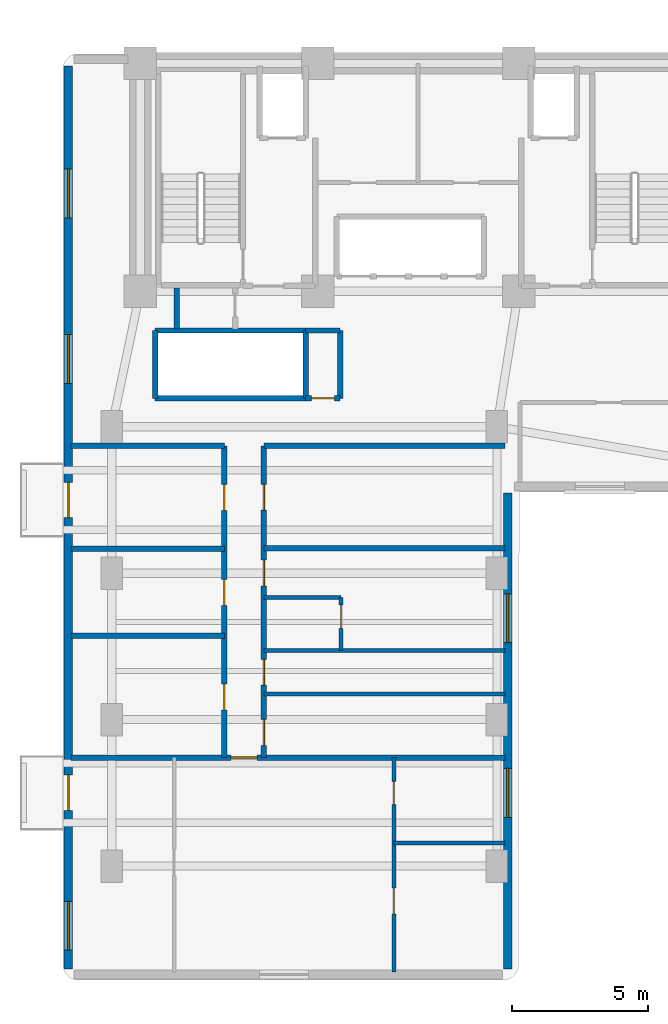
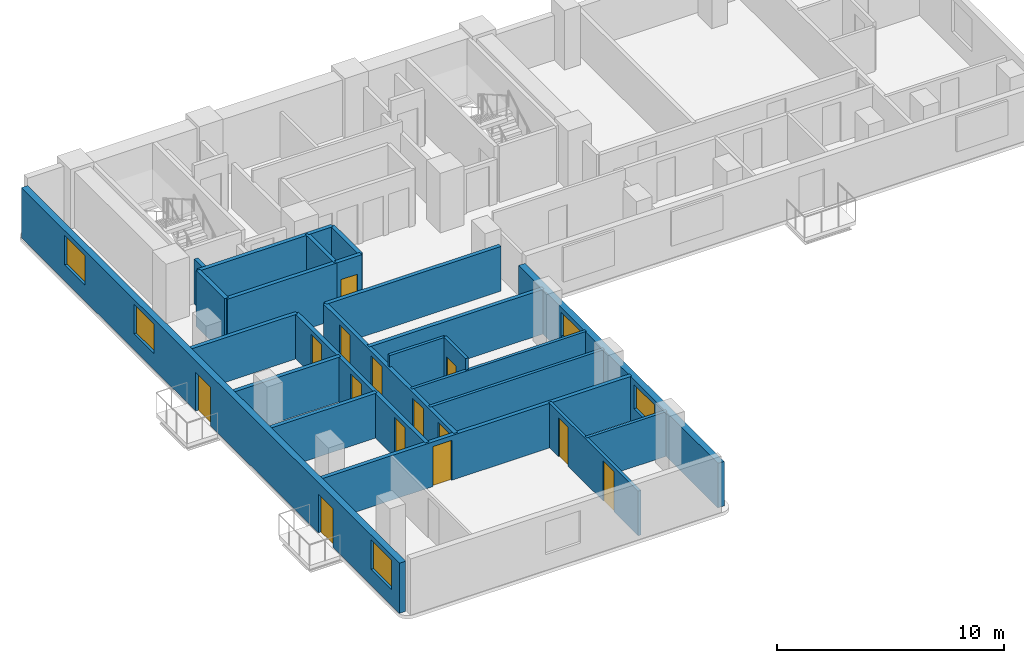
# One storey, part 3 of 9: 24 walls, 14 doors, 5 windows, 19 openings.
"""IFC4 building model written with IfcOpenShell, lengths in metres."""

from ifc_helpers import new_model, si_unit, direction, frame, frame_2d, origin, place, context, subcontext, project, spatial, rectangle, extrude, material, layer, layer_set, type_object, element, fill, save


model = new_model("IFC4")

# Units and contexts
model_context = context("Model", 3, precision=1e-05, world=origin(), true_north=direction((0.0, 1.0)))
body_context = subcontext(model_context, "Body", "Model", "MODEL_VIEW")
ifc_project = project(units=[si_unit("LENGTHUNIT", "METRE"), si_unit("AREAUNIT", "SQUARE_METRE"), si_unit("VOLUMEUNIT", "CUBIC_METRE"), si_unit("PLANEANGLEUNIT", "RADIAN"), si_unit("MASSUNIT", "GRAM", prefix="KILO")], contexts=[model_context])

# Site, building, storey
site_placement = place(None, origin())
site = spatial("IfcSite", under=ifc_project, at=site_placement, CompositionType="ELEMENT")
building_placement = place(site_placement, origin())
building = spatial("IfcBuilding", under=site, at=building_placement, Name="Kuzgunbayir Cultural Tower", CompositionType="ELEMENT")
storey_placement = place(building_placement, frame((0.0, 0.0, 89.800048828125)))
storey = spatial("IfcBuildingStorey", under=building, at=storey_placement, Name="L25", CompositionType="ELEMENT", Elevation=89.800048828125)

# Wall, openings, doors, windows
ifc_material_1 = material(Name="Travertine Buff Ashlar", Category="masonry")
ifc_layer_1 = layer(ifc_material_1, 0.320068359375)
ifc_layer_set_1 = layer_set([ifc_layer_1], Name="Travertine Buff Ashlar")
wall_type_1 = type_object("IfcWallType", Name="WAL-EXT-STONE-320", PredefinedType="STANDARD", material=ifc_layer_set_1)
wall_1_placement = place(storey_placement, frame((3.800048828125, 42.10009765625, 0.0), z_axis=(0.0, 0.0, 1.0), x_axis=(0.0, -1.0, 0.0)))
wall_1 = element("IfcWall", 1, at=wall_1_placement, inside=storey, type_object=wall_type_1, Name="L25 Wing A West Limestone Wall", PredefinedType="STANDARD", context=body_context, shape_type="SweptSolid", body=[
    extrude(rectangle(XDim=33.300048828125, YDim=0.320068359375, at=frame_2d((16.64990234375, 0.0))), origin(), (0.0, 0.0, 1.0), 2.699951171875),
])
opening_1_placement = place(wall_1_placement, frame((26.14990234375, 0.0, 0.0)))
opening_1 = element("IfcOpeningElement", 2, at=opening_1_placement, cuts=wall_1, Name="Opening BD-13", PredefinedType="OPENING", context=body_context, shape_type="SweptSolid", body=[
    extrude(rectangle(XDim=1.300048828125, YDim=2.080078125, at=frame_2d((0.64990234375, 1.0400390625))), frame((0.0, 0.169921875, 0.0), z_axis=(0.0, -1.0, 0.0), x_axis=(1.0, 0.0, 0.0)), (0.0, 0.0, 1.0), 0.340087890625),
])
opening_2_placement = place(wall_1_placement, frame((15.35009765625, 0.0, 0.0)))
opening_2 = element("IfcOpeningElement", 3, at=opening_2_placement, cuts=wall_1, Name="Opening BD-13", PredefinedType="OPENING", context=body_context, shape_type="SweptSolid", body=[
    extrude(rectangle(XDim=1.300048828125, YDim=2.080078125, at=frame_2d((0.64990234375, 1.0400390625))), frame((0.0, 0.169921875, 0.0), z_axis=(0.0, -1.0, 0.0), x_axis=(1.0, 0.0, 0.0)), (0.0, 0.0, 1.0), 0.340087890625),
])
opening_3_placement = place(wall_1_placement, frame((30.800048828125, 0.0, 0.85009765625)))
opening_3 = element("IfcOpeningElement", 4, at=opening_3_placement, cuts=wall_1, Name="Opening WH-18", PredefinedType="OPENING", context=body_context, shape_type="SweptSolid", body=[
    extrude(rectangle(XDim=1.800048828125, YDim=1.60009765625, at=frame_2d((0.89990234375, 0.800048828125))), frame((0.0, 0.169921875, 0.0), z_axis=(0.0, -1.0, 0.0), x_axis=(1.0, 0.0, 0.0)), (0.0, 0.0, 1.0), 0.340087890625),
])
opening_4_placement = place(wall_1_placement, frame((9.89990234375, 0.0, 0.85009765625)))
opening_4 = element("IfcOpeningElement", 5, at=opening_4_placement, cuts=wall_1, Name="Opening WH-18", PredefinedType="OPENING", context=body_context, shape_type="SweptSolid", body=[
    extrude(rectangle(XDim=1.800048828125, YDim=1.60009765625, at=frame_2d((0.89990234375, 0.800048828125))), frame((0.0, 0.169921875, 0.0), z_axis=(0.0, -1.0, 0.0), x_axis=(1.0, 0.0, 0.0)), (0.0, 0.0, 1.0), 0.340087890625),
])
opening_5_placement = place(wall_1_placement, frame((3.800048828125, 0.0, 0.85009765625)))
opening_5 = element("IfcOpeningElement", 6, at=opening_5_placement, cuts=wall_1, Name="Opening WH-18", PredefinedType="OPENING", context=body_context, shape_type="SweptSolid", body=[
    extrude(rectangle(XDim=1.800048828125, YDim=1.60009765625, at=frame_2d((0.89990234375, 0.800048828125))), frame((0.0, 0.169921875, 0.0), z_axis=(0.0, -1.0, 0.0), x_axis=(1.0, 0.0, 0.0)), (0.0, 0.0, 1.0), 0.340087890625),
])
ifc_material_2 = material(Name="Thermally Broken Glazed Aluminium", Category="aluminium")
door_type_1 = type_object("IfcDoorType", Name="DR-BALCONY-135", OperationType="SLIDING_TO_LEFT", PredefinedType="DOOR", material=ifc_material_2)
door_1_placement = place(opening_1_placement, origin())
door_1 = element("IfcDoor", 7, at=door_1_placement, inside=storey, type_object=door_type_1, Name="L25 West Balcony Sliding Door BAL-L25-WA1", OperationType="SLIDING_TO_LEFT", OverallHeight=2.080078125, OverallWidth=1.300048828125, PredefinedType="DOOR", context=body_context, shape_type="SweptSolid", body=[
    extrude(rectangle(XDim=1.300048828125, YDim=2.080078125, at=frame_2d((0.64990234375, 1.0400390625))), frame((0.0, 0.02490234375, 0.0), z_axis=(0.0, -1.0, 0.0), x_axis=(1.0, 0.0, 0.0)), (0.0, 0.0, 1.0), 0.050048828125),
])
fill(opening_1, door_1)
door_2_placement = place(opening_2_placement, origin())
door_2 = element("IfcDoor", 8, at=door_2_placement, inside=storey, type_object=door_type_1, Name="L25 West Balcony Sliding Door BAL-L25-WA3", OperationType="SLIDING_TO_LEFT", OverallHeight=2.080078125, OverallWidth=1.300048828125, PredefinedType="DOOR", context=body_context, shape_type="SweptSolid", body=[
    extrude(rectangle(XDim=1.300048828125, YDim=2.080078125, at=frame_2d((0.64990234375, 1.0400390625))), frame((0.0, 0.02490234375, 0.0), z_axis=(0.0, -1.0, 0.0), x_axis=(1.0, 0.0, 0.0)), (0.0, 0.0, 1.0), 0.050048828125),
])
fill(opening_2, door_2)
ifc_material_3 = material(Name="Solar-Control Triple Glazing", Category="glass")
window_type = type_object("IfcWindowType", Name="WIN-HOTEL-18", PartitioningType="SINGLE_PANEL", PredefinedType="WINDOW", material=ifc_material_3)
window_1_placement = place(opening_3_placement, origin())
window_1 = element("IfcWindow", 9, at=window_1_placement, inside=storey, type_object=window_type, Name="L25 WAW Facade Window 5", OverallHeight=1.60009765625, OverallWidth=1.800048828125, PartitioningType="SINGLE_PANEL", PredefinedType="WINDOW", context=body_context, shape_type="SweptSolid", body=[
    extrude(rectangle(XDim=1.800048828125, YDim=1.60009765625, at=frame_2d((0.89990234375, 0.800048828125))), frame((0.0, 0.030029296875, 0.0), z_axis=(0.0, -1.0, 0.0), x_axis=(1.0, 0.0, 0.0)), (0.0, 0.0, 1.0), 0.06005859375),
])
fill(opening_3, window_1)
window_2_placement = place(opening_4_placement, origin())
window_2 = element("IfcWindow", 10, at=window_2_placement, inside=storey, type_object=window_type, Name="L25 WAW Facade Window 6", OverallHeight=1.60009765625, OverallWidth=1.800048828125, PartitioningType="SINGLE_PANEL", PredefinedType="WINDOW", context=body_context, shape_type="SweptSolid", body=[
    extrude(rectangle(XDim=1.800048828125, YDim=1.60009765625, at=frame_2d((0.89990234375, 0.800048828125))), frame((0.0, 0.030029296875, 0.0), z_axis=(0.0, -1.0, 0.0), x_axis=(1.0, 0.0, 0.0)), (0.0, 0.0, 1.0), 0.06005859375),
])
fill(opening_4, window_2)
window_3_placement = place(opening_5_placement, origin())
window_3 = element("IfcWindow", 11, at=window_3_placement, inside=storey, type_object=window_type, Name="L25 WAW Facade Window 7", OverallHeight=1.60009765625, OverallWidth=1.800048828125, PartitioningType="SINGLE_PANEL", PredefinedType="WINDOW", context=body_context, shape_type="SweptSolid", body=[
    extrude(rectangle(XDim=1.800048828125, YDim=1.60009765625, at=frame_2d((0.89990234375, 0.800048828125))), frame((0.0, 0.030029296875, 0.0), z_axis=(0.0, -1.0, 0.0), x_axis=(1.0, 0.0, 0.0)), (0.0, 0.0, 1.0), 0.06005859375),
])
fill(opening_5, window_3)

# Wall, openings, windows
wall_2_placement = place(storey_placement, frame((20.0, 8.800048828125, 0.0), z_axis=(0.0, 0.0, 1.0), x_axis=(0.0, 1.0, 0.0)))
wall_2 = element("IfcWall", 12, at=wall_2_placement, inside=storey, type_object=wall_type_1, Name="L25 Wing A East Limestone Wall", PredefinedType="STANDARD", context=body_context, shape_type="SweptSolid", body=[
    extrude(rectangle(XDim=17.550048828125, YDim=0.320068359375, at=frame_2d((8.77490234375, 0.0))), origin(), (0.0, 0.0, 1.0), 2.39990234375),
])
opening_6_placement = place(wall_2_placement, frame((12.0400390625, 0.0, 0.85009765625)))
opening_6 = element("IfcOpeningElement", 13, at=opening_6_placement, cuts=wall_2, Name="Opening WH-18", PredefinedType="OPENING", context=body_context, shape_type="SweptSolid", body=[
    extrude(rectangle(XDim=1.800048828125, YDim=1.300048828125, at=frame_2d((0.89990234375, 0.64990234375))), frame((0.0, 0.169921875, 0.0), z_axis=(0.0, -1.0, 0.0), x_axis=(1.0, 0.0, 0.0)), (0.0, 0.0, 1.0), 0.340087890625),
])
opening_7_placement = place(wall_2_placement, frame((5.60009765625, 0.0, 0.85009765625)))
opening_7 = element("IfcOpeningElement", 14, at=opening_7_placement, cuts=wall_2, Name="Opening WH-18", PredefinedType="OPENING", context=body_context, shape_type="SweptSolid", body=[
    extrude(rectangle(XDim=1.800048828125, YDim=1.300048828125, at=frame_2d((0.89990234375, 0.64990234375))), frame((0.0, 0.169921875, 0.0), z_axis=(0.0, -1.0, 0.0), x_axis=(1.0, 0.0, 0.0)), (0.0, 0.0, 1.0), 0.340087890625),
])
window_4_placement = place(opening_6_placement, origin())
window_4 = element("IfcWindow", 15, at=window_4_placement, inside=storey, type_object=window_type, Name="L25 WAE Facade Window 2", OverallHeight=1.300048828125, OverallWidth=1.800048828125, PartitioningType="SINGLE_PANEL", PredefinedType="WINDOW", context=body_context, shape_type="SweptSolid", body=[
    extrude(rectangle(XDim=1.800048828125, YDim=1.300048828125, at=frame_2d((0.89990234375, 0.64990234375))), frame((0.0, 0.030029296875, 0.0), z_axis=(0.0, -1.0, 0.0), x_axis=(1.0, 0.0, 0.0)), (0.0, 0.0, 1.0), 0.06005859375),
])
fill(opening_6, window_4)
window_5_placement = place(opening_7_placement, origin())
window_5 = element("IfcWindow", 16, at=window_5_placement, inside=storey, type_object=window_type, Name="L25 WAE Facade Window 8", OverallHeight=1.300048828125, OverallWidth=1.800048828125, PartitioningType="SINGLE_PANEL", PredefinedType="WINDOW", context=body_context, shape_type="SweptSolid", body=[
    extrude(rectangle(XDim=1.800048828125, YDim=1.300048828125, at=frame_2d((0.89990234375, 0.64990234375))), frame((0.0, 0.030029296875, 0.0), z_axis=(0.0, -1.0, 0.0), x_axis=(1.0, 0.0, 0.0)), (0.0, 0.0, 1.0), 0.06005859375),
])
fill(opening_7, window_5)

# Wall
ifc_material_4 = material(Name="Acoustic Double-Stud Drywall", Category="gypsum")
ifc_layer_2 = layer(ifc_material_4, 0.14990234375)
ifc_layer_set_2 = layer_set([ifc_layer_2], Name="Acoustic Double-Stud Drywall")
wall_type_2 = type_object("IfcWallType", Name="WAL-PART-ACOUSTIC-150", PredefinedType="PARTITIONING", material=ifc_layer_set_2)
wall_3_placement = place(storey_placement, frame((11.010009765625, 18.949951171875, 0.0), z_axis=(0.0, 0.0, 1.0), x_axis=(1.0, 0.0, 0.0)))
element("IfcWall", 17, at=wall_3_placement, inside=storey, type_object=wall_type_2, Name="L25 Housekeeping North Wall", PredefinedType="PARTITIONING", context=body_context, shape_type="SweptSolid", body=[
    extrude(rectangle(XDim=8.889892578125, YDim=0.14990234375, at=frame_2d((4.44482421875, 0.0))), origin(), (0.0, 0.0, 1.0), 2.39990234375),
])

# Wall, opening, door
ifc_material_5 = material(Name="Aerated Concrete Blockwork", Category="masonry")
ifc_layer_3 = layer(ifc_material_5, 0.199951171875)
ifc_layer_set_3 = layer_set([ifc_layer_3], Name="Aerated Concrete Blockwork")
wall_type_3 = type_object("IfcWallType", Name="WAL-PART-FIRE-200", PredefinedType="PARTITIONING", material=ifc_layer_set_3)
wall_4_placement = place(storey_placement, frame((12.550048828125, 29.85009765625, 0.0), z_axis=(0.0, 0.0, 1.0), x_axis=(1.0, 0.0, 0.0)))
wall_4 = element("IfcWall", 18, at=wall_4_placement, inside=storey, type_object=wall_type_3, Name="L25 Center Core Switchgear South Wall", PredefinedType="PARTITIONING", context=body_context, shape_type="SweptSolid", body=[
    extrude(rectangle(XDim=1.27001953125, YDim=0.199951171875, at=frame_2d((0.635009765625, 0.0))), origin(), (0.0, 0.0, 1.0), 3.02001953125),
])
opening_8_placement = place(wall_4_placement, frame((0.2099609375, 0.0, 0.0)))
opening_8 = element("IfcOpeningElement", 19, at=opening_8_placement, cuts=wall_4, Name="Opening DR-RSR-60", PredefinedType="OPENING", context=body_context, shape_type="SweptSolid", body=[
    extrude(rectangle(XDim=0.85009765625, YDim=2.050048828125, at=frame_2d((0.425048828125, 1.02490234375))), frame((0.0, 0.10986328125, 0.0), z_axis=(0.0, -1.0, 0.0), x_axis=(1.0, 0.0, 0.0)), (0.0, 0.0, 1.0), 0.219970703125),
])
ifc_material_6 = material(Name="Steel Access Leaf", Category="steel")
door_type_2 = type_object("IfcDoorType", Name="DR-RISER-60", OperationType="NOTDEFINED", PredefinedType="DOOR", material=ifc_material_6)
door_3_placement = place(opening_8_placement, origin())
door_3 = element("IfcDoor", 20, at=door_3_placement, inside=storey, type_object=door_type_2, Name="L25 Electrical Switchgear Closet Door", OperationType="SINGLE_SWING_RIGHT", OverallHeight=2.050048828125, OverallWidth=0.85009765625, PredefinedType="DOOR", context=body_context, shape_type="SweptSolid", body=[
    extrude(rectangle(XDim=0.85009765625, YDim=2.050048828125, at=frame_2d((0.425048828125, 1.02490234375))), frame((0.0, 0.02490234375, 0.0), z_axis=(0.0, -1.0, 0.0), x_axis=(1.0, 0.0, 0.0)), (0.0, 0.0, 1.0), 0.050048828125),
])
fill(opening_8, door_3)

# Walls
wall_5_placement = place(storey_placement, frame((13.820068359375, 29.85009765625, 0.0), z_axis=(0.0, 0.0, 1.0), x_axis=(0.0, 1.0, 0.0)))
element("IfcWall", 21, at=wall_5_placement, inside=storey, type_object=wall_type_3, Name="L25 Center Core Switchgear East Wall", PredefinedType="PARTITIONING", context=body_context, shape_type="SweptSolid", body=[
    extrude(rectangle(XDim=2.5, YDim=0.199951171875, at=frame_2d((1.25, 0.0))), origin(), (0.0, 0.0, 1.0), 3.02001953125),
])
wall_6_placement = place(storey_placement, frame((12.550048828125, 32.35009765625, 0.0), z_axis=(0.0, 0.0, 1.0), x_axis=(1.0, 0.0, 0.0)))
element("IfcWall", 22, at=wall_6_placement, inside=storey, type_object=wall_type_3, Name="L25 Center Core Switchgear North Wall", PredefinedType="PARTITIONING", context=body_context, shape_type="SweptSolid", body=[
    extrude(rectangle(XDim=1.27001953125, YDim=0.199951171875, at=frame_2d((0.635009765625, 0.0))), origin(), (0.0, 0.0, 1.0), 3.02001953125),
])
wall_7_placement = place(storey_placement, frame((7.800048828125, 32.39990234375, 0.0), z_axis=(0.0, 0.0, 1.0), x_axis=(0.0, 1.0, 0.0)))
element("IfcWall", 23, at=wall_7_placement, inside=storey, type_object=wall_type_3, Name="L25 West Core Electrical Closet West Wall", PredefinedType="PARTITIONING", context=body_context, shape_type="SweptSolid", body=[
    extrude(rectangle(XDim=1.52001953125, YDim=0.199951171875, at=frame_2d((0.760009765625, 0.0))), origin(), (0.0, 0.0, 1.0), 2.39990234375),
])

# Wall, openings, doors
wall_8_placement = place(storey_placement, frame((9.550048828125, 16.60009765625, 0.0), z_axis=(0.0, 0.0, 1.0), x_axis=(0.0, 1.0, 0.0)))
wall_8 = element("IfcWall", 24, at=wall_8_placement, inside=storey, type_object=wall_type_3, Name="L25 Wing A West Corridor Wall", PredefinedType="PARTITIONING", context=body_context, shape_type="SweptSolid", body=[
    extrude(rectangle(XDim=11.5, YDim=0.199951171875, at=frame_2d((5.75, 0.0))), origin(), (0.0, 0.0, 1.0), 2.39990234375),
])
opening_9_placement = place(wall_8_placement, frame((1.760009765625, 0.0, 0.0)))
opening_9 = element("IfcOpeningElement", 25, at=opening_9_placement, cuts=wall_8, Name="Opening DI-90", PredefinedType="OPENING", context=body_context, shape_type="SweptSolid", body=[
    extrude(rectangle(XDim=0.949951171875, YDim=2.14990234375, at=frame_2d((0.47509765625, 1.074951171875))), frame((0.0, 0.10986328125, 0.0), z_axis=(0.0, -1.0, 0.0), x_axis=(1.0, 0.0, 0.0)), (0.0, 0.0, 1.0), 0.219970703125),
])
opening_10_placement = place(wall_8_placement, frame((5.610107421875, 0.0, 0.0)))
opening_10 = element("IfcOpeningElement", 26, at=opening_10_placement, cuts=wall_8, Name="Opening DI-90", PredefinedType="OPENING", context=body_context, shape_type="SweptSolid", body=[
    extrude(rectangle(XDim=0.949951171875, YDim=2.14990234375, at=frame_2d((0.47509765625, 1.074951171875))), frame((0.0, 0.10986328125, 0.0), z_axis=(0.0, -1.0, 0.0), x_axis=(1.0, 0.0, 0.0)), (0.0, 0.0, 1.0), 0.219970703125),
])
opening_11_placement = place(wall_8_placement, frame((9.1201171875, 0.0, 0.0)))
opening_11 = element("IfcOpeningElement", 27, at=opening_11_placement, cuts=wall_8, Name="Opening DI-90", PredefinedType="OPENING", context=body_context, shape_type="SweptSolid", body=[
    extrude(rectangle(XDim=0.949951171875, YDim=2.14990234375, at=frame_2d((0.47509765625, 1.074951171875))), frame((0.0, 0.10986328125, 0.0), z_axis=(0.0, -1.0, 0.0), x_axis=(1.0, 0.0, 0.0)), (0.0, 0.0, 1.0), 0.219970703125),
])
ifc_material_7 = material(Name="Veneered Oak Single Leaf", Category="wood")
door_type_3 = type_object("IfcDoorType", Name="DR-INT-90", OperationType="NOTDEFINED", PredefinedType="DOOR", material=ifc_material_7)
door_4_placement = place(opening_9_placement, origin())
door_4 = element("IfcDoor", 28, at=door_4_placement, inside=storey, type_object=door_type_3, Name="L25 Seminar Boardroom 1 Door", OperationType="SINGLE_SWING_LEFT", OverallHeight=2.14990234375, OverallWidth=0.949951171875, PredefinedType="DOOR", context=body_context, shape_type="SweptSolid", body=[
    extrude(rectangle(XDim=0.949951171875, YDim=2.14990234375, at=frame_2d((0.47509765625, 1.074951171875))), frame((0.0, 0.02490234375, 0.0), z_axis=(0.0, -1.0, 0.0), x_axis=(1.0, 0.0, 0.0)), (0.0, 0.0, 1.0), 0.050048828125),
])
fill(opening_9, door_4)
door_5_placement = place(opening_10_placement, origin())
door_5 = element("IfcDoor", 29, at=door_5_placement, inside=storey, type_object=door_type_3, Name="L25 Seminar Boardroom 2 Door", OperationType="SINGLE_SWING_RIGHT", OverallHeight=2.14990234375, OverallWidth=0.949951171875, PredefinedType="DOOR", context=body_context, shape_type="SweptSolid", body=[
    extrude(rectangle(XDim=0.949951171875, YDim=2.14990234375, at=frame_2d((0.47509765625, 1.074951171875))), frame((0.0, 0.02490234375, 0.0), z_axis=(0.0, -1.0, 0.0), x_axis=(1.0, 0.0, 0.0)), (0.0, 0.0, 1.0), 0.050048828125),
])
fill(opening_10, door_5)
door_6_placement = place(opening_11_placement, origin())
door_6 = element("IfcDoor", 30, at=door_6_placement, inside=storey, type_object=door_type_3, Name="L25 Seminar Boardroom 3 Door", OperationType="SINGLE_SWING_LEFT", OverallHeight=2.14990234375, OverallWidth=0.949951171875, PredefinedType="DOOR", context=body_context, shape_type="SweptSolid", body=[
    extrude(rectangle(XDim=0.949951171875, YDim=2.14990234375, at=frame_2d((0.47509765625, 1.074951171875))), frame((0.0, 0.02490234375, 0.0), z_axis=(0.0, -1.0, 0.0), x_axis=(1.0, 0.0, 0.0)), (0.0, 0.0, 1.0), 0.050048828125),
])
fill(opening_11, door_6)

wall_9_placement = place(storey_placement, frame((11.010009765625, 16.60009765625, 0.0), z_axis=(0.0, 0.0, 1.0), x_axis=(0.0, 1.0, 0.0)))
wall_9 = element("IfcWall", 31, at=wall_9_placement, inside=storey, type_object=wall_type_3, Name="L25 Wing A East Corridor Wall", PredefinedType="PARTITIONING", context=body_context, shape_type="SweptSolid", body=[
    extrude(rectangle(XDim=11.5, YDim=0.199951171875, at=frame_2d((5.75, 0.0))), origin(), (0.0, 0.0, 1.0), 2.39990234375),
])
opening_12_placement = place(wall_9_placement, frame((0.449951171875, 0.0, 0.0)))
opening_12 = element("IfcOpeningElement", 32, at=opening_12_placement, cuts=wall_9, Name="Opening DI-90", PredefinedType="OPENING", context=body_context, shape_type="SweptSolid", body=[
    extrude(rectangle(XDim=0.949951171875, YDim=2.14990234375, at=frame_2d((0.47509765625, 1.074951171875))), frame((0.0, 0.10986328125, 0.0), z_axis=(0.0, -1.0, 0.0), x_axis=(1.0, 0.0, 0.0)), (0.0, 0.0, 1.0), 0.219970703125),
])
opening_13_placement = place(wall_9_placement, frame((2.669921875, 0.0, 0.0)))
opening_13 = element("IfcOpeningElement", 33, at=opening_13_placement, cuts=wall_9, Name="Opening DW-95", PredefinedType="OPENING", context=body_context, shape_type="SweptSolid", body=[
    extrude(rectangle(XDim=0.949951171875, YDim=2.10009765625, at=frame_2d((0.47509765625, 1.050048828125))), frame((0.0, 0.10986328125, 0.0), z_axis=(0.0, -1.0, 0.0), x_axis=(1.0, 0.0, 0.0)), (0.0, 0.0, 1.0), 0.219970703125),
])
opening_14_placement = place(wall_9_placement, frame((9.1298828125, 0.0, 0.0)))
opening_14 = element("IfcOpeningElement", 34, at=opening_14_placement, cuts=wall_9, Name="Opening DI-90", PredefinedType="OPENING", context=body_context, shape_type="SweptSolid", body=[
    extrude(rectangle(XDim=0.949951171875, YDim=2.14990234375, at=frame_2d((0.47509765625, 1.074951171875))), frame((0.0, 0.10986328125, 0.0), z_axis=(0.0, -1.0, 0.0), x_axis=(1.0, 0.0, 0.0)), (0.0, 0.0, 1.0), 0.219970703125),
])
opening_15_placement = place(wall_9_placement, frame((6.330078125, 0.0, 0.0)))
opening_15 = element("IfcOpeningElement", 35, at=opening_15_placement, cuts=wall_9, Name="Opening DR-APT-60", PredefinedType="OPENING", context=body_context, shape_type="SweptSolid", body=[
    extrude(rectangle(XDim=0.949951171875, YDim=2.14990234375, at=frame_2d((0.47509765625, 1.074951171875))), frame((0.0, 0.10986328125, 0.0), z_axis=(0.0, -1.0, 0.0), x_axis=(1.0, 0.0, 0.0)), (0.0, 0.0, 1.0), 0.219970703125),
])
ifc_material_8 = material(Name="Acoustic Fire Timber Leaf", Category="wood")
door_type_4 = type_object("IfcDoorType", Name="DR-APT-60", OperationType="NOTDEFINED", PredefinedType="DOOR", material=ifc_material_8)
door_7_placement = place(opening_15_placement, origin())
door_7 = element("IfcDoor", 36, at=door_7_placement, inside=storey, type_object=door_type_4, Name="L25 Guest Suite E1 Entrance", OperationType="SINGLE_SWING_RIGHT", OverallHeight=2.14990234375, OverallWidth=0.949951171875, PredefinedType="DOOR", context=body_context, shape_type="SweptSolid", body=[
    extrude(rectangle(XDim=0.949951171875, YDim=2.14990234375, at=frame_2d((0.47509765625, 1.074951171875))), frame((0.0, 0.02490234375, 0.0), z_axis=(0.0, -1.0, 0.0), x_axis=(1.0, 0.0, 0.0)), (0.0, 0.0, 1.0), 0.050048828125),
])
fill(opening_15, door_7)
door_8_placement = place(opening_12_placement, origin())
door_8 = element("IfcDoor", 37, at=door_8_placement, inside=storey, type_object=door_type_3, Name="L25 Housekeeping Room Door", OperationType="SINGLE_SWING_RIGHT", OverallHeight=2.14990234375, OverallWidth=0.949951171875, PredefinedType="DOOR", context=body_context, shape_type="SweptSolid", body=[
    extrude(rectangle(XDim=0.949951171875, YDim=2.14990234375, at=frame_2d((0.47509765625, 1.074951171875))), frame((0.0, 0.02490234375, 0.0), z_axis=(0.0, -1.0, 0.0), x_axis=(1.0, 0.0, 0.0)), (0.0, 0.0, 1.0), 0.050048828125),
])
fill(opening_12, door_8)
door_9_placement = place(opening_14_placement, origin())
door_9 = element("IfcDoor", 38, at=door_9_placement, inside=storey, type_object=door_type_3, Name="L25 Seminar Boardroom E1 Door", OperationType="SINGLE_SWING_RIGHT", OverallHeight=2.14990234375, OverallWidth=0.949951171875, PredefinedType="DOOR", context=body_context, shape_type="SweptSolid", body=[
    extrude(rectangle(XDim=0.949951171875, YDim=2.14990234375, at=frame_2d((0.47509765625, 1.074951171875))), frame((0.0, 0.02490234375, 0.0), z_axis=(0.0, -1.0, 0.0), x_axis=(1.0, 0.0, 0.0)), (0.0, 0.0, 1.0), 0.050048828125),
])
fill(opening_14, door_9)
ifc_material_9 = material(Name="Laminate Moisture-Resistant Leaf", Category="wood")
door_type_5 = type_object("IfcDoorType", Name="DR-WET-95", OperationType="NOTDEFINED", PredefinedType="DOOR", material=ifc_material_9)
door_10_placement = place(opening_13_placement, origin())
door_10 = element("IfcDoor", 39, at=door_10_placement, inside=storey, type_object=door_type_5, Name="L25 Accessible WC Door", OperationType="SINGLE_SWING_LEFT", OverallHeight=2.10009765625, OverallWidth=0.949951171875, PredefinedType="DOOR", context=body_context, shape_type="SweptSolid", body=[
    extrude(rectangle(XDim=0.949951171875, YDim=2.10009765625, at=frame_2d((0.47509765625, 1.050048828125))), frame((0.0, 0.02490234375, 0.0), z_axis=(0.0, -1.0, 0.0), x_axis=(1.0, 0.0, 0.0)), (0.0, 0.0, 1.0), 0.050048828125),
])
fill(opening_13, door_10)

# Wall, opening, door
wall_10_placement = place(storey_placement, frame((3.89990234375, 16.60009765625, 0.0), z_axis=(0.0, 0.0, 1.0), x_axis=(1.0, 0.0, 0.0)))
wall_10 = element("IfcWall", 40, at=wall_10_placement, inside=storey, type_object=wall_type_3, Name="L25 South Cross Partition", PredefinedType="PARTITIONING", context=body_context, shape_type="SweptSolid", body=[
    extrude(rectangle(XDim=16.0, YDim=0.199951171875, at=frame_2d((8.0, 0.0))), origin(), (0.0, 0.0, 1.0), 2.39990234375),
])
opening_16_placement = place(wall_10_placement, frame((5.89990234375, 0.0, 0.0)))
opening_16 = element("IfcOpeningElement", 41, at=opening_16_placement, cuts=wall_10, Name="Opening DR-APT-60", PredefinedType="OPENING", context=body_context, shape_type="SweptSolid", body=[
    extrude(rectangle(XDim=0.949951171875, YDim=2.14990234375, at=frame_2d((0.47509765625, 1.074951171875))), frame((0.0, 0.10986328125, 0.0), z_axis=(0.0, -1.0, 0.0), x_axis=(1.0, 0.0, 0.0)), (0.0, 0.0, 1.0), 0.219970703125),
])
door_11_placement = place(opening_16_placement, origin())
door_11 = element("IfcDoor", 42, at=door_11_placement, inside=storey, type_object=door_type_4, Name="L25 Diplomatic Suite Entrance", OperationType="SINGLE_SWING_RIGHT", OverallHeight=2.14990234375, OverallWidth=0.949951171875, PredefinedType="DOOR", context=body_context, shape_type="SweptSolid", body=[
    extrude(rectangle(XDim=0.949951171875, YDim=2.14990234375, at=frame_2d((0.47509765625, 1.074951171875))), frame((0.0, 0.02490234375, 0.0), z_axis=(0.0, -1.0, 0.0), x_axis=(1.0, 0.0, 0.0)), (0.0, 0.0, 1.0), 0.050048828125),
])
fill(opening_16, door_11)

# Walls
wall_11_placement = place(storey_placement, frame((3.89990234375, 28.10009765625, 0.0), z_axis=(0.0, 0.0, 1.0), x_axis=(1.0, 0.0, 0.0)))
element("IfcWall", 43, at=wall_11_placement, inside=storey, type_object=wall_type_3, Name="L25 North West Partition", PredefinedType="PARTITIONING", context=body_context, shape_type="SweptSolid", body=[
    extrude(rectangle(XDim=5.650146484375, YDim=0.199951171875, at=frame_2d((2.8251953125, 0.0))), origin(), (0.0, 0.0, 1.0), 2.39990234375),
])
wall_12_placement = place(storey_placement, frame((11.010009765625, 28.10009765625, 0.0), z_axis=(0.0, 0.0, 1.0), x_axis=(1.0, 0.0, 0.0)))
element("IfcWall", 44, at=wall_12_placement, inside=storey, type_object=wall_type_3, Name="L25 North East Partition", PredefinedType="PARTITIONING", context=body_context, shape_type="SweptSolid", body=[
    extrude(rectangle(XDim=8.889892578125, YDim=0.199951171875, at=frame_2d((4.44482421875, 0.0))), origin(), (0.0, 0.0, 1.0), 2.39990234375),
])
for number, where, z_axis, x_axis, name in (
    (45, (3.89990234375, 21.090087890625, 0.0), (0.0, 0.0, 1.0), (1.0, 0.0, 0.0), "L25 West Party Wall 1"),
    (46, (3.89990234375, 24.300048828125, 0.0), (0.0, 0.0, 1.0), (1.0, 0.0, 0.0), "L25 West Party Wall 2"),
):
    element("IfcWall", number, at=place(storey_placement, frame(where, z_axis=z_axis, x_axis=x_axis)), inside=storey, type_object=wall_type_3, Name=name, PredefinedType="PARTITIONING", context=body_context, shape_type="SweptSolid", body=[
        extrude(rectangle(XDim=5.650146484375, YDim=0.199951171875, at=frame_2d((2.8251953125, 0.0))), origin(), (0.0, 0.0, 1.0), 2.39990234375),
    ])
wall_13_placement = place(storey_placement, frame((11.010009765625, 24.320068359375, 0.0), z_axis=(0.0, 0.0, 1.0), x_axis=(1.0, 0.0, 0.0)))
element("IfcWall", 47, at=wall_13_placement, inside=storey, type_object=wall_type_3, Name="L25 Suite E1 Sub-Party Wall", PredefinedType="PARTITIONING", context=body_context, shape_type="SweptSolid", body=[
    extrude(rectangle(XDim=8.889892578125, YDim=0.199951171875, at=frame_2d((4.44482421875, 0.0))), origin(), (0.0, 0.0, 1.0), 2.39990234375),
])

# Wall, openings, doors
ifc_material_10 = material(Name="Moisture-Resistant Tile Partition", Category="gypsum")
ifc_layer_4 = layer(ifc_material_10, 0.14990234375)
ifc_layer_set_4 = layer_set([ifc_layer_4], Name="Moisture-Resistant Tile Partition")
wall_type_4 = type_object("IfcWallType", Name="WAL-PART-WET-150", PredefinedType="PARTITIONING", material=ifc_layer_set_4)
wall_14_placement = place(storey_placement, frame((15.800048828125, 8.699951171875, 0.0), z_axis=(0.0, 0.0, 1.0), x_axis=(0.0, 1.0, 0.0)))
wall_14 = element("IfcWall", 48, at=wall_14_placement, inside=storey, type_object=wall_type_4, Name="L25 Diplomatic Suite Service Wall", PredefinedType="PARTITIONING", context=body_context, shape_type="SweptSolid", body=[
    extrude(rectangle(XDim=7.900146484375, YDim=0.14990234375, at=frame_2d((3.9501953125, 0.0))), origin(), (0.0, 0.0, 1.0), 2.39990234375),
])
opening_17_placement = place(wall_14_placement, frame((2.139892578125, 0.0, 0.0)))
opening_17 = element("IfcOpeningElement", 49, at=opening_17_placement, cuts=wall_14, Name="Opening DI-90", PredefinedType="OPENING", context=body_context, shape_type="SweptSolid", body=[
    extrude(rectangle(XDim=0.949951171875, YDim=2.14990234375, at=frame_2d((0.47509765625, 1.074951171875))), frame((0.0, 0.0849609375, 0.0), z_axis=(0.0, -1.0, 0.0), x_axis=(1.0, 0.0, 0.0)), (0.0, 0.0, 1.0), 0.169921875),
])
opening_18_placement = place(wall_14_placement, frame((6.169921875, 0.0, 0.0)))
opening_18 = element("IfcOpeningElement", 50, at=opening_18_placement, cuts=wall_14, Name="Opening DW-85", PredefinedType="OPENING", context=body_context, shape_type="SweptSolid", body=[
    extrude(rectangle(XDim=0.85009765625, YDim=2.10009765625, at=frame_2d((0.425048828125, 1.050048828125))), frame((0.0, 0.0849609375, 0.0), z_axis=(0.0, -1.0, 0.0), x_axis=(1.0, 0.0, 0.0)), (0.0, 0.0, 1.0), 0.169921875),
])
door_12_placement = place(opening_17_placement, origin())
door_12 = element("IfcDoor", 51, at=door_12_placement, inside=storey, type_object=door_type_3, Name="L25 Diplomatic Kitchen Door", OperationType="SINGLE_SWING_RIGHT", OverallHeight=2.14990234375, OverallWidth=0.949951171875, PredefinedType="DOOR", context=body_context, shape_type="SweptSolid", body=[
    extrude(rectangle(XDim=0.949951171875, YDim=2.14990234375, at=frame_2d((0.47509765625, 1.074951171875))), frame((0.0, 0.02490234375, 0.0), z_axis=(0.0, -1.0, 0.0), x_axis=(1.0, 0.0, 0.0)), (0.0, 0.0, 1.0), 0.050048828125),
])
fill(opening_17, door_12)
door_type_6 = type_object("IfcDoorType", Name="DR-WET-85", OperationType="NOTDEFINED", PredefinedType="DOOR", material=ifc_material_9)
door_13_placement = place(opening_18_placement, origin())
door_13 = element("IfcDoor", 52, at=door_13_placement, inside=storey, type_object=door_type_6, Name="L25 Diplomatic Bathroom Door", OperationType="SINGLE_SWING_LEFT", OverallHeight=2.10009765625, OverallWidth=0.85009765625, PredefinedType="DOOR", context=body_context, shape_type="SweptSolid", body=[
    extrude(rectangle(XDim=0.85009765625, YDim=2.10009765625, at=frame_2d((0.425048828125, 1.050048828125))), frame((0.0, 0.02490234375, 0.0), z_axis=(0.0, -1.0, 0.0), x_axis=(1.0, 0.0, 0.0)), (0.0, 0.0, 1.0), 0.050048828125),
])
fill(opening_18, door_13)

# Walls
wall_15_placement = place(storey_placement, frame((15.800048828125, 13.449951171875, 0.0), z_axis=(0.0, 0.0, 1.0), x_axis=(1.0, 0.0, 0.0)))
element("IfcWall", 53, at=wall_15_placement, inside=storey, type_object=wall_type_4, Name="L25 Diplomatic Suite Bath Kitchen Divider", PredefinedType="PARTITIONING", context=body_context, shape_type="SweptSolid", body=[
    extrude(rectangle(XDim=4.099853515625, YDim=0.14990234375, at=frame_2d((2.0498046875, 0.0))), origin(), (0.0, 0.0, 1.0), 2.39990234375),
])
wall_16_placement = place(storey_placement, frame((11.010009765625, 20.550048828125, 0.0), z_axis=(0.0, 0.0, 1.0), x_axis=(1.0, 0.0, 0.0)))
element("IfcWall", 54, at=wall_16_placement, inside=storey, type_object=wall_type_4, Name="L25 Accessible WC North Wall", PredefinedType="PARTITIONING", context=body_context, shape_type="SweptSolid", body=[
    extrude(rectangle(XDim=8.889892578125, YDim=0.14990234375, at=frame_2d((4.44482421875, 0.0))), origin(), (0.0, 0.0, 1.0), 2.39990234375),
])
wall_17_placement = place(storey_placement, frame((11.010009765625, 22.5, 0.0), z_axis=(0.0, 0.0, 1.0), x_axis=(1.0, 0.0, 0.0)))
element("IfcWall", 55, at=wall_17_placement, inside=storey, type_object=wall_type_4, Name="L25 Suite E1 En-Suite North Wall", PredefinedType="PARTITIONING", context=body_context, shape_type="SweptSolid", body=[
    extrude(rectangle(XDim=2.85009765625, YDim=0.14990234375, at=frame_2d((1.425048828125, 0.0))), origin(), (0.0, 0.0, 1.0), 3.02001953125),
])

# Wall, opening, door
wall_18_placement = place(storey_placement, frame((13.860107421875, 20.550048828125, 0.0), z_axis=(0.0, 0.0, 1.0), x_axis=(0.0, 1.0, 0.0)))
wall_18 = element("IfcWall", 56, at=wall_18_placement, inside=storey, type_object=wall_type_4, Name="L25 Suite E1 En-Suite East Wall", PredefinedType="PARTITIONING", context=body_context, shape_type="SweptSolid", body=[
    extrude(rectangle(XDim=1.949951171875, YDim=0.14990234375, at=frame_2d((0.97509765625, 0.0))), origin(), (0.0, 0.0, 1.0), 3.02001953125),
])
opening_19_placement = place(wall_18_placement, frame((0.820068359375, 0.0, 0.0)))
opening_19 = element("IfcOpeningElement", 57, at=opening_19_placement, cuts=wall_18, Name="Opening DW-85", PredefinedType="OPENING", context=body_context, shape_type="SweptSolid", body=[
    extrude(rectangle(XDim=0.85009765625, YDim=2.10009765625, at=frame_2d((0.425048828125, 1.050048828125))), frame((0.0, 0.0849609375, 0.0), z_axis=(0.0, -1.0, 0.0), x_axis=(1.0, 0.0, 0.0)), (0.0, 0.0, 1.0), 0.169921875),
])
door_14_placement = place(opening_19_placement, origin())
door_14 = element("IfcDoor", 58, at=door_14_placement, inside=storey, type_object=door_type_6, Name="L25 Suite E1 En-Suite Door", OperationType="SINGLE_SWING_LEFT", OverallHeight=2.10009765625, OverallWidth=0.85009765625, PredefinedType="DOOR", context=body_context, shape_type="SweptSolid", body=[
    extrude(rectangle(XDim=0.85009765625, YDim=2.10009765625, at=frame_2d((0.425048828125, 1.050048828125))), frame((0.0, 0.02490234375, 0.0), z_axis=(0.0, -1.0, 0.0), x_axis=(1.0, 0.0, 0.0)), (0.0, 0.0, 1.0), 0.050048828125),
])
fill(opening_19, door_14)

# Walls
ifc_material_11 = material(Name="Concrete C40/50", Category="concrete")
ifc_layer_5 = layer(ifc_material_11, 0.199951171875)
ifc_layer_set_5 = layer_set([ifc_layer_5], Name="Concrete C40/50")
wall_type_5 = type_object("IfcWallType", Name="WAL-SHAFT-200", PredefinedType="MOVABLE", material=ifc_layer_set_5)
for number, where, z_axis, x_axis, name in (
    (59, (7.0, 29.85009765625, 0.0), (0.0, 0.0, 1.0), (1.0, 0.0, 0.0), "L25 High-Rise Lift Shaft South Wall"),
    (60, (7.0, 32.35009765625, 0.0), (0.0, 0.0, 1.0), (1.0, 0.0, 0.0), "L25 High-Rise Lift Shaft North Wall"),
):
    element("IfcWall", number, at=place(storey_placement, frame(where, z_axis=z_axis, x_axis=x_axis)), inside=storey, type_object=wall_type_5, Name=name, PredefinedType="MOVABLE", context=body_context, shape_type="SweptSolid", body=[
        extrude(rectangle(XDim=5.550048828125, YDim=0.199951171875, at=frame_2d((2.77490234375, 0.0))), origin(), (0.0, 0.0, 1.0), 3.02001953125),
    ])
for number, where, z_axis, x_axis, name in (
    (61, (7.0, 29.85009765625, 0.0), (0.0, 0.0, 1.0), (0.0, 1.0, 0.0), "L25 High-Rise Lift Shaft West Wall"),
    (62, (12.550048828125, 29.85009765625, 0.0), (0.0, 0.0, 1.0), (0.0, 1.0, 0.0), "L25 High-Rise Lift Shaft East Wall"),
):
    element("IfcWall", number, at=place(storey_placement, frame(where, z_axis=z_axis, x_axis=x_axis)), inside=storey, type_object=wall_type_5, Name=name, PredefinedType="MOVABLE", context=body_context, shape_type="SweptSolid", body=[
        extrude(rectangle(XDim=2.5, YDim=0.199951171875, at=frame_2d((1.25, 0.0))), origin(), (0.0, 0.0, 1.0), 3.02001953125),
    ])

save(model, "model.ifc")
